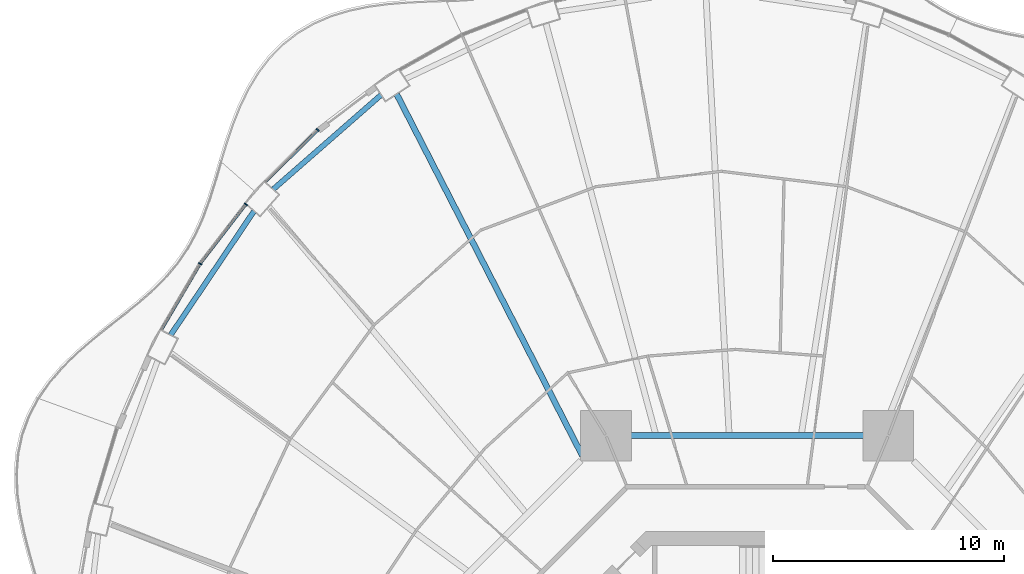
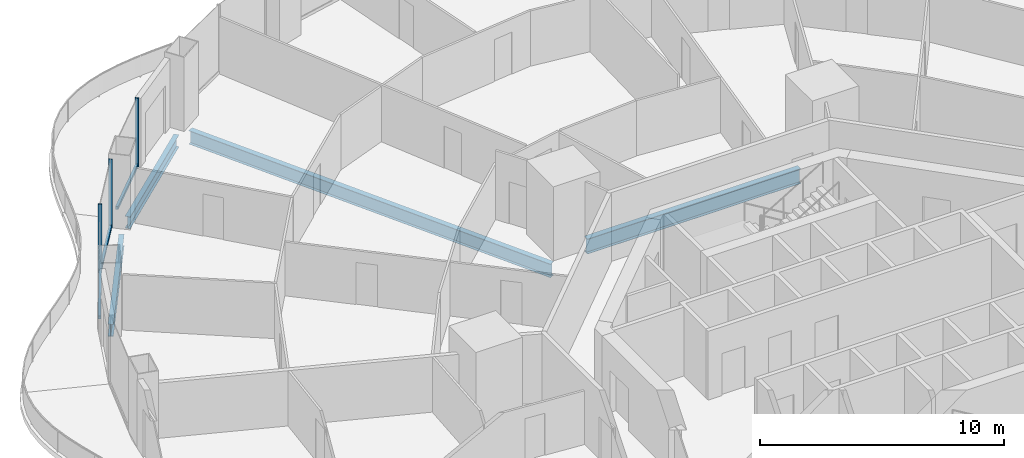
# One storey, part 8 of 22: 6 members, 4 beams, 3 elements without a shape of their own.
"""IFC4 building model written with IfcOpenShell, lengths in metres."""

from ifc_helpers import new_model, si_unit, direction, frame, origin, origin_2d, place, context, subcontext, project, spatial, rectangle, i_section, extrude, material, layer, layer_set, material_profile, profile_set, type_object, element, aggregate, save


model = new_model("IFC4")

# Units and contexts
model_context = context("Model", 3, precision=1e-05, world=origin(), true_north=direction((0.0, 1.0)))
body_context = subcontext(model_context, "Body", "Model", "MODEL_VIEW")
ifc_project = project(units=[si_unit("LENGTHUNIT", "METRE"), si_unit("AREAUNIT", "SQUARE_METRE"), si_unit("VOLUMEUNIT", "CUBIC_METRE"), si_unit("PLANEANGLEUNIT", "RADIAN"), si_unit("MASSUNIT", "GRAM", prefix="KILO")], contexts=[model_context])

# Site, building, storey
site_placement = place(None, origin())
site = spatial("IfcSite", under=ifc_project, at=site_placement, CompositionType="ELEMENT")
building_placement = place(site_placement, origin())
building = spatial("IfcBuilding", under=site, at=building_placement, Name="Nagisa Residences", CompositionType="ELEMENT")
storey_placement = place(building_placement, frame((0.0, 0.0, 77.0)))
storey = spatial("IfcBuildingStorey", under=building, at=storey_placement, Name="L18", CompositionType="ELEMENT", Elevation=77.0)

# Curtain wall, member
ifc_material_1 = material(Name="Concrete-coloured aluminium curtain wall system", Category="concrete")
ifc_layer = layer(ifc_material_1, 0.159912109375)
ifc_layer_set = layer_set([ifc_layer], Name="CW1 CURTAIN WALL")
curtain_wall_type = type_object("IfcCurtainWallType", Name="CW1 CURTAIN WALL", PredefinedType="NOTDEFINED", material=ifc_layer_set)
curtain_wall_1_placement = place(storey_placement, origin())
curtain_wall_1 = element("IfcCurtainWall", 1, at=curtain_wall_1_placement, inside=storey, type_object=curtain_wall_type, Name="cw:CW1:L18:17", PredefinedType="NOTDEFINED")
ifc_material_2 = material(Name="Concrete-coloured aluminium", Category="concrete")
ifc_material_profile_1 = material_profile(ifc_material_2, rectangle(XDim=0.159912109375, YDim=0.06005859375, at=origin_2d()), Name="CW1 MULLION 160x60")
ifc_profile_set_1 = profile_set([ifc_material_profile_1], Name="Concrete-coloured aluminium")
member_type_1 = type_object("IfcMemberType", Name="CW1 MULLION 160x60", PredefinedType="MULLION", material=ifc_profile_set_1)
member_1_placement = place(storey_placement, frame((-18.624267578125, 28.04248046875, 0.0), z_axis=(0.0, 0.0, 1.0), x_axis=(0.706376885714, -0.707835924016, 0.0)))
member_1 = element("IfcMember", 2, at=member_1_placement, type_object=member_type_1, Name="CW1 mullion", PredefinedType="MULLION", context=body_context, shape_type="SweptSolid", body=[
    extrude(rectangle(XDim=0.159912109375, YDim=0.06005859375, at=origin_2d()), origin(), (0.0, 0.0, 1.0), 3.43994140625),
])

curtain_wall_2_placement = place(storey_placement, origin())
curtain_wall_2 = element("IfcCurtainWall", 3, at=curtain_wall_2_placement, inside=storey, type_object=curtain_wall_type, Name="cw:CW1:L18:18", PredefinedType="NOTDEFINED")
member_2_placement = place(storey_placement, frame((-21.735107421875, 24.814697265625, 0.0), z_axis=(0.0, 0.0, 1.0), x_axis=(0.792070340816, -0.610429828235, 0.0)))
member_2 = element("IfcMember", 4, at=member_2_placement, type_object=member_type_1, Name="CW1 mullion", PredefinedType="MULLION", context=body_context, shape_type="SweptSolid", body=[
    extrude(rectangle(XDim=0.159912109375, YDim=0.06005859375, at=origin_2d()), origin(), (0.0, 0.0, 1.0), 3.43994140625),
])

curtain_wall_3_placement = place(storey_placement, origin())
curtain_wall_3 = element("IfcCurtainWall", 5, at=curtain_wall_3_placement, inside=storey, type_object=curtain_wall_type, Name="cw:CW1:L18:19", PredefinedType="NOTDEFINED")
member_3_placement = place(storey_placement, frame((-23.718017578125, 22.236328125, 0.0), z_axis=(0.0, 0.0, 1.0), x_axis=(0.862328898214, -0.506348567002, 0.0)))
member_3 = element("IfcMember", 6, at=member_3_placement, type_object=member_type_1, Name="CW1 mullion", PredefinedType="MULLION", context=body_context, shape_type="SweptSolid", body=[
    extrude(rectangle(XDim=0.159912109375, YDim=0.06005859375, at=origin_2d()), origin(), (0.0, 0.0, 1.0), 3.43994140625),
])

# Member
ifc_material_3 = material(Name="Concrete-coloured aluminium", Category="concrete")
ifc_material_profile_2 = material_profile(ifc_material_3, rectangle(XDim=0.1201171875, YDim=0.14990234375, at=origin_2d()), Name="CW1 TRANSOM 120x150")
ifc_profile_set_2 = profile_set([ifc_material_profile_2], Name="Concrete-coloured aluminium")
member_type_2 = type_object("IfcMemberType", Name="CW1 TRANSOM 120x150", PredefinedType="USERDEFINED", material=ifc_profile_set_2)
member_4_placement = place(storey_placement, frame((-18.60302734375, 28.0634765625, 0.074951171875), z_axis=(-0.707869817944, -0.706342920149, 0.0), x_axis=(0.706342920149, -0.707869817944, 0.0)))
member_4 = element("IfcMember", 7, at=member_4_placement, type_object=member_type_2, Name="CW1 transom", ObjectType="TRANSOM", PredefinedType="USERDEFINED", context=body_context, shape_type="SweptSolid", body=[
    extrude(rectangle(XDim=0.1201171875, YDim=0.14990234375, at=origin_2d()), origin(), (0.0, 0.0, 1.0), 3.19775390625),
])

aggregate(curtain_wall_1, [member_1, member_4])

member_5_placement = place(storey_placement, frame((-21.716796875, 24.83837890625, 0.074951171875), z_axis=(-0.61041202934, -0.792084057684, 0.0), x_axis=(0.792084057684, -0.61041202934, 0.0)))
member_5 = element("IfcMember", 8, at=member_5_placement, type_object=member_type_2, Name="CW1 transom", ObjectType="TRANSOM", PredefinedType="USERDEFINED", context=body_context, shape_type="SweptSolid", body=[
    extrude(rectangle(XDim=0.1201171875, YDim=0.14990234375, at=origin_2d()), origin(), (0.0, 0.0, 1.0), 3.262939453125),
])

aggregate(curtain_wall_2, [member_2, member_5])

member_6_placement = place(storey_placement, frame((-23.702880859375, 22.26220703125, 0.074951171875), z_axis=(-0.506384588027, -0.862307746114, 0.0), x_axis=(0.862307746114, -0.506384588027, 0.0)))
member_6 = element("IfcMember", 9, at=member_6_placement, type_object=member_type_2, Name="CW1 transom", ObjectType="TRANSOM", PredefinedType="USERDEFINED", context=body_context, shape_type="SweptSolid", body=[
    extrude(rectangle(XDim=0.1201171875, YDim=0.14990234375, at=origin_2d()), origin(), (0.0, 0.0, 1.0), 3.32470703125),
])

aggregate(curtain_wall_3, [member_3, member_6])

# Beams
ifc_material_4 = material(Name="Steel ASTM A572 Gr 50", Category="steel")
ifc_material_profile_3 = material_profile(ifc_material_4, i_section(OverallWidth=0.264892578125, OverallDepth=0.7529296875, WebThickness=0.01318359375, FlangeThickness=0.01708984375, at=origin_2d()), Name="W760x147")
ifc_profile_set_3 = profile_set([ifc_material_profile_3], Name="Steel ASTM A572 Gr 50")
beam_type_1 = type_object("IfcBeamType", Name="Inner ring beam W760x147", PredefinedType="BEAM", material=ifc_profile_set_3)
beam_1_placement = place(storey_placement, frame((5.04296875, 14.781982421875, -0.636474609375), z_axis=(-1.0, 0.0, 0.0), x_axis=(0.0, -1.0, 0.0)))
element("IfcBeam", 10, at=beam_1_placement, inside=storey, type_object=beam_type_1, Name="beam:L18:ib2", PredefinedType="BEAM", context=body_context, shape_type="SweptSolid", body=[
    extrude(i_section(OverallWidth=0.264892578125, OverallDepth=0.7529296875, WebThickness=0.01318359375, FlangeThickness=0.01708984375, at=origin_2d()), origin(), (0.0, 0.0, 1.0), 10.0859375),
])
ifc_material_5 = material(Name="Steel ASTM A572 Gr 50", Category="steel")
ifc_material_profile_4 = material_profile(ifc_material_5, i_section(OverallWidth=0.22802734375, OverallDepth=0.60302734375, WebThickness=0.010498046875, FlangeThickness=0.014892578125, at=origin_2d()), Name="W610x101")
ifc_profile_set_4 = profile_set([ifc_material_profile_4], Name="Steel ASTM A572 Gr 50")
beam_type_2 = type_object("IfcBeamType", Name="Perimeter ring beam W610x101", PredefinedType="BEAM", material=ifc_profile_set_4)
beam_2_placement = place(storey_placement, frame((-15.876220703125, 29.55859375, -0.5615234375), z_axis=(-0.752542612886, -0.658543556488, 0.0), x_axis=(0.658543556488, -0.752542612886, 0.0)))
element("IfcBeam", 11, at=beam_2_placement, inside=storey, type_object=beam_type_2, Name="beam:L18:pb09", PredefinedType="BEAM", context=body_context, shape_type="SweptSolid", body=[
    extrude(i_section(OverallWidth=0.22802734375, OverallDepth=0.60302734375, WebThickness=0.010498046875, FlangeThickness=0.014892578125, at=origin_2d()), origin(), (0.0, 0.0, 1.0), 6.212646484375),
])
beam_3_placement = place(storey_placement, frame((-21.384521484375, 24.521484375, -0.5615234375), z_axis=(-0.558221079259, -0.829692248168, 0.0), x_axis=(0.829692248168, -0.558221079259, 0.0)))
element("IfcBeam", 12, at=beam_3_placement, inside=storey, type_object=beam_type_2, Name="beam:L18:pb10", PredefinedType="BEAM", context=body_context, shape_type="SweptSolid", body=[
    extrude(i_section(OverallWidth=0.22802734375, OverallDepth=0.60302734375, WebThickness=0.010498046875, FlangeThickness=0.014892578125, at=origin_2d()), origin(), (0.0, 0.0, 1.0), 6.471435546875),
])
ifc_material_6 = material(Name="Steel ASTM A572 Gr 50", Category="steel")
ifc_material_profile_5 = material_profile(ifc_material_6, i_section(OverallWidth=0.2529296875, OverallDepth=0.677978515625, WebThickness=0.01171875, FlangeThickness=0.016357421875, at=origin_2d()), Name="W690x125")
ifc_profile_set_5 = profile_set([ifc_material_profile_5], Name="Steel ASTM A572 Gr 50")
beam_type_3 = type_object("IfcBeamType", Name="Radial beam W690x125", PredefinedType="BEAM", material=ifc_profile_set_5)
beam_4_placement = place(storey_placement, frame((-15.199951171875, 29.5927734375, -0.59912109375), z_axis=(0.456890609608, -0.889522889448, 0.0), x_axis=(0.889522889448, 0.456890609608, 0.0)))
element("IfcBeam", 13, at=beam_4_placement, inside=storey, type_object=beam_type_3, Name="beam:L18:rb09", PredefinedType="BEAM", context=body_context, shape_type="SweptSolid", body=[
    extrude(i_section(OverallWidth=0.2529296875, OverallDepth=0.677978515625, WebThickness=0.01171875, FlangeThickness=0.016357421875, at=origin_2d()), origin(), (0.0, 0.0, 1.0), 17.622314453125),
])

save(model, "model.ifc")
